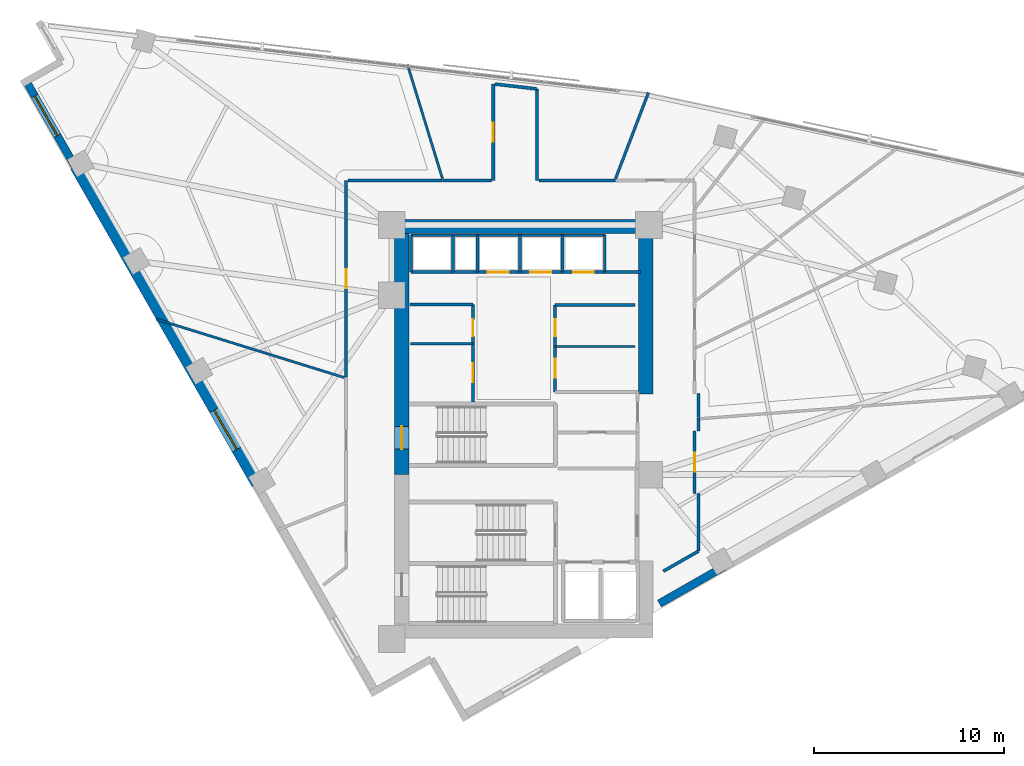
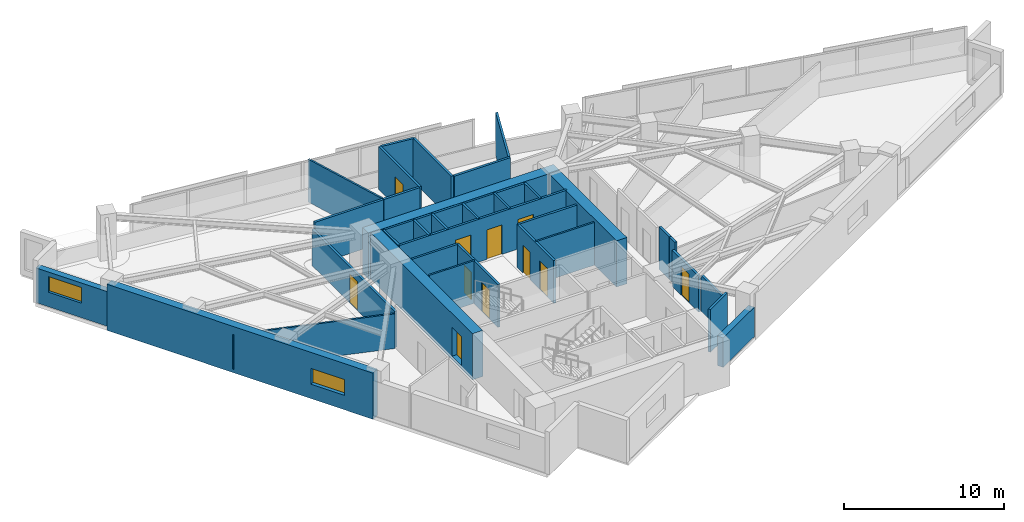
# One storey, part 10 of 14: 36 walls, 11 doors, 2 windows, 13 openings.
"""IFC4 building model written with IfcOpenShell, lengths in metres."""

from ifc_helpers import new_model, si_unit, direction, frame, frame_2d, origin, place, context, subcontext, project, spatial, rectangle, extrude, material, layer, layer_set, type_object, element, fill, save


model = new_model("IFC4")

# Units and contexts
model_context = context("Model", 3, precision=1e-05, world=origin(), true_north=direction((0.0, 1.0)))
body_context = subcontext(model_context, "Body", "Model", "MODEL_VIEW")
ifc_project = project(units=[si_unit("LENGTHUNIT", "METRE"), si_unit("AREAUNIT", "SQUARE_METRE"), si_unit("VOLUMEUNIT", "CUBIC_METRE"), si_unit("PLANEANGLEUNIT", "RADIAN"), si_unit("MASSUNIT", "GRAM", prefix="KILO")], contexts=[model_context])

# Site, building, storey
site_placement = place(None, origin())
site = spatial("IfcSite", under=ifc_project, at=site_placement, CompositionType="ELEMENT")
building_placement = place(site_placement, origin())
building = spatial("IfcBuilding", under=site, at=building_placement, Name="Narakoshi Arena Tower", CompositionType="ELEMENT")
storey_placement = place(building_placement, frame((0.0, 0.0, 211.4599609375)))
storey = spatial("IfcBuildingStorey", under=building, at=storey_placement, Name="L57", CompositionType="ELEMENT", Elevation=211.4599609375)

# Wall, opening, door
ifc_material_1 = material(Name="Concrete C50/60", Category="concrete")
ifc_layer_1 = layer(ifc_material_1, 0.75)
ifc_layer_set_1 = layer_set([ifc_layer_1], Name="Concrete C50/60")
wall_type_1 = type_object("IfcWallType", Name="WL-CORE-750", PredefinedType="SHEAR", material=ifc_layer_set_1)
wall_1_placement = place(storey_placement, frame((72.52490234375, 43.35009765625, -0.260009765625), z_axis=(0.0, 0.0, 1.0), x_axis=(0.0, 1.0, 0.0)))
wall_1 = element("IfcWall", 1, at=wall_1_placement, inside=storey, type_object=wall_type_1, Name="L57 Main Core Shear Wall CW-MN-W", PredefinedType="SHEAR", context=body_context, shape_type="SweptSolid", body=[
    extrude(rectangle(XDim=12.699951171875, YDim=0.75, at=frame_2d((6.35009765625, 0.0))), origin(), (0.0, 0.0, 1.0), 3.52001953125),
])
opening_1_placement = place(wall_1_placement, frame((1.35009765625, 0.0, 0.260009765625)))
opening_1 = element("IfcOpeningElement", 2, at=opening_1_placement, cuts=wall_1, Name="Opening D-03", PredefinedType="OPENING", context=body_context, shape_type="SweptSolid", body=[
    extrude(rectangle(XDim=1.199951171875, YDim=2.199951171875, at=frame_2d((0.60009765625, 1.10009765625))), frame((0.0, 0.385009765625, 0.0), z_axis=(0.0, -1.0, 0.0), x_axis=(1.0, 0.0, 0.0)), (0.0, 0.0, 1.0), 0.77001953125),
])
ifc_material_2 = material(Name="Painted galvanized steel", Category="steel")
door_type_1 = type_object("IfcDoorType", Name="DR-STR-1200", OperationType="NOTDEFINED", PredefinedType="USERDEFINED", material=ifc_material_2)
door_1_placement = place(opening_1_placement, frame((1.199951171875, 0.0, 0.0), z_axis=(0.0, 0.0, 1.0), x_axis=(-1.0, 0.0, 0.0)))
door_1 = element("IfcDoor", 3, at=door_1_placement, inside=storey, type_object=door_type_1, Name="DR-L57-006", ObjectType="EXITDOOR", OperationType="SINGLE_SWING_LEFT", OverallHeight=2.199951171875, OverallWidth=1.199951171875, PredefinedType="USERDEFINED", context=body_context, shape_type="SweptSolid", body=[
    extrude(rectangle(XDim=1.199951171875, YDim=2.199951171875, at=frame_2d((0.60009765625, 1.10009765625))), frame((0.0, 0.02490234375, 0.0), z_axis=(0.0, -1.0, 0.0), x_axis=(1.0, 0.0, 0.0)), (0.0, 0.0, 1.0), 0.050048828125),
])
fill(opening_1, door_1)

# Walls
wall_2_placement = place(storey_placement, frame((72.0, 56.425048828125, -0.260009765625), z_axis=(0.0, 0.0, 1.0), x_axis=(1.0, 0.0, 0.0)))
element("IfcWall", 4, at=wall_2_placement, inside=storey, type_object=wall_type_1, Name="L57 Main Core Shear Wall CW-MN-N", PredefinedType="SHEAR", context=body_context, shape_type="SweptSolid", body=[
    extrude(rectangle(XDim=13.75, YDim=0.75, at=frame_2d((6.875, 0.0))), origin(), (0.0, 0.0, 1.0), 3.52001953125),
])
wall_3_placement = place(storey_placement, frame((85.375, 47.60009765625, -0.260009765625), z_axis=(0.0, 0.0, 1.0), x_axis=(0.0, 1.0, 0.0)))
element("IfcWall", 5, at=wall_3_placement, inside=storey, type_object=wall_type_1, Name="L57 Main Core Shear Wall CW-MN-E", PredefinedType="SHEAR", context=body_context, shape_type="SweptSolid", body=[
    extrude(rectangle(XDim=8.449951171875, YDim=0.75, at=frame_2d((4.22509765625, 0.0))), origin(), (0.0, 0.0, 1.0), 3.52001953125),
])

# Wall, opening, door
ifc_material_3 = material(Name="Gypsum plasterboard fire-rated partition")
ifc_layer_2 = layer(ifc_material_3, 0.1650390625)
ifc_layer_set_2 = layer_set([ifc_layer_2], Name="Gypsum plasterboard fire-rated partition")
wall_type_2 = type_object("IfcWallType", Name="WL-CORR-165", PredefinedType="PARTITIONING", material=ifc_layer_set_2)
wall_4_placement = place(storey_placement, frame((87.949951171875, 42.35009765625, 0.0), z_axis=(0.0, 0.0, 1.0), x_axis=(0.0, 1.0, 0.0)))
wall_4 = element("IfcWall", 6, at=wall_4_placement, inside=storey, type_object=wall_type_2, Name="L57 Corridor Partition 03-1", PredefinedType="PARTITIONING", context=body_context, shape_type="SweptSolid", body=[
    extrude(rectangle(XDim=3.2998046875, YDim=0.1650390625, at=frame_2d((1.64990234375, 0.0))), origin(), (0.0, 0.0, 1.0), 2.7451171875),
])
opening_2_placement = place(wall_4_placement, frame((1.14990234375, 0.0, 0.0)))
opening_2 = element("IfcOpeningElement", 7, at=opening_2_placement, cuts=wall_4, Name="Opening D-06", PredefinedType="OPENING", context=body_context, shape_type="SweptSolid", body=[
    extrude(rectangle(XDim=1.0, YDim=2.199951171875, at=frame_2d((0.5, 1.10009765625))), frame((0.0, 0.092529296875, 0.0), z_axis=(0.0, -1.0, 0.0), x_axis=(1.0, 0.0, 0.0)), (0.0, 0.0, 1.0), 0.18505859375),
])
ifc_material_4 = material(Name="Stained oak solid-core timber", Category="wood")
door_type_2 = type_object("IfcDoorType", Name="DR-OFF-1000", OperationType="NOTDEFINED", PredefinedType="DOOR", material=ifc_material_4)
door_2_placement = place(opening_2_placement, frame((1.0, 0.0, 0.0), z_axis=(0.0, 0.0, 1.0), x_axis=(-1.0, 0.0, 0.0)))
door_2 = element("IfcDoor", 8, at=door_2_placement, inside=storey, type_object=door_type_2, Name="DR-L57-018", OperationType="SINGLE_SWING_LEFT", OverallHeight=2.199951171875, OverallWidth=1.0, PredefinedType="DOOR", context=body_context, shape_type="SweptSolid", body=[
    extrude(rectangle(XDim=1.0, YDim=2.199951171875, at=frame_2d((0.5, 1.10009765625))), frame((0.0, 0.02490234375, 0.0), z_axis=(0.0, -1.0, 0.0), x_axis=(1.0, 0.0, 0.0)), (0.0, 0.0, 1.0), 0.050048828125),
])
fill(opening_2, door_2)

# Walls
wall_5_placement = place(storey_placement, frame((88.14990234375, 39.322998046875, 0.0), z_axis=(0.0, 0.0, 1.0), x_axis=(0.0, 1.0, 0.0)))
element("IfcWall", 9, at=wall_5_placement, inside=storey, type_object=wall_type_2, Name="L57 Corridor Partition 03-2", PredefinedType="PARTITIONING", context=body_context, shape_type="SweptSolid", body=[
    extrude(rectangle(XDim=3.027099609375, YDim=0.1650390625, at=frame_2d((1.513671875, 0.0))), origin(), (0.0, 0.0, 1.0), 2.7451171875),
])
wall_6_placement = place(storey_placement, frame((86.300048828125, 38.265625, 0.0), z_axis=(0.0, 0.0, 1.0), x_axis=(0.868179674817, 0.496249989657, 0.0)))
element("IfcWall", 10, at=wall_6_placement, inside=storey, type_object=wall_type_2, Name="L57 Corridor Partition 03-3", PredefinedType="PARTITIONING", context=body_context, shape_type="SweptSolid", body=[
    extrude(rectangle(XDim=2.130615234375, YDim=0.1650390625, at=frame_2d((1.0654296875, 0.0))), origin(), (0.0, 0.0, 1.0), 3.260009765625),
])
wall_7_placement = place(storey_placement, frame((88.14990234375, 45.64990234375, 0.0), z_axis=(0.0, 0.0, 1.0), x_axis=(0.0, 1.0, 0.0)))
element("IfcWall", 11, at=wall_7_placement, inside=storey, type_object=wall_type_2, Name="L57 Corridor Partition 03-4", PredefinedType="PARTITIONING", context=body_context, shape_type="SweptSolid", body=[
    extrude(rectangle(XDim=0.677490234375, YDim=0.1650390625, at=frame_2d((0.3388671875, 0.0))), origin(), (0.0, 0.0, 1.0), 3.260009765625),
])
wall_8_placement = place(storey_placement, frame((88.14990234375, 46.351318359375, 0.0), z_axis=(0.0, 0.0, 1.0), x_axis=(0.0, 1.0, 0.0)))
element("IfcWall", 12, at=wall_8_placement, inside=storey, type_object=wall_type_2, Name="L57 Corridor Partition 04-2", PredefinedType="PARTITIONING", context=body_context, shape_type="SweptSolid", body=[
    extrude(rectangle(XDim=1.268798828125, YDim=0.1650390625, at=frame_2d((0.63427734375, 0.0))), origin(), (0.0, 0.0, 1.0), 3.260009765625),
])

# Wall, opening, door
wall_9_placement = place(storey_placement, frame((77.35009765625, 63.930908203125, 0.0), z_axis=(0.0, 0.0, 1.0), x_axis=(0.0, -1.0, 0.0)))
wall_9 = element("IfcWall", 13, at=wall_9_placement, inside=storey, type_object=wall_type_2, Name="L57 Corridor Partition 07-1", PredefinedType="PARTITIONING", context=body_context, shape_type="SweptSolid", body=[
    extrude(rectangle(XDim=5.080810546875, YDim=0.1650390625, at=frame_2d((2.54052734375, 0.0))), origin(), (0.0, 0.0, 1.0), 3.260009765625),
])
opening_3_placement = place(wall_9_placement, frame((2.040283203125, 0.0, 0.0)))
opening_3 = element("IfcOpeningElement", 14, at=opening_3_placement, cuts=wall_9, Name="Opening D-06", PredefinedType="OPENING", context=body_context, shape_type="SweptSolid", body=[
    extrude(rectangle(XDim=1.0, YDim=2.199951171875, at=frame_2d((0.5, 1.10009765625))), frame((0.0, 0.092529296875, 0.0), z_axis=(0.0, -1.0, 0.0), x_axis=(1.0, 0.0, 0.0)), (0.0, 0.0, 1.0), 0.18505859375),
])
door_3_placement = place(opening_3_placement, frame((1.0, 0.0, 0.0), z_axis=(0.0, 0.0, 1.0), x_axis=(-1.0, 0.0, 0.0)))
door_3 = element("IfcDoor", 15, at=door_3_placement, inside=storey, type_object=door_type_2, Name="DR-L57-022", OperationType="SINGLE_SWING_LEFT", OverallHeight=2.199951171875, OverallWidth=1.0, PredefinedType="DOOR", context=body_context, shape_type="SweptSolid", body=[
    extrude(rectangle(XDim=1.0, YDim=2.199951171875, at=frame_2d((0.5, 1.10009765625))), frame((0.0, 0.02490234375, 0.0), z_axis=(0.0, -1.0, 0.0), x_axis=(1.0, 0.0, 0.0)), (0.0, 0.0, 1.0), 0.050048828125),
])
fill(opening_3, door_3)

# Walls
wall_10_placement = place(storey_placement, frame((79.64990234375, 58.85009765625, 0.0), z_axis=(0.0, 0.0, 1.0), x_axis=(0.0, 1.0, 0.0)))
element("IfcWall", 16, at=wall_10_placement, inside=storey, type_object=wall_type_2, Name="L57 Corridor Partition 07-2", PredefinedType="PARTITIONING", context=body_context, shape_type="SweptSolid", body=[
    extrude(rectangle(XDim=4.814453125, YDim=0.1650390625, at=frame_2d((2.4072265625, 0.0))), origin(), (0.0, 0.0, 1.0), 3.260009765625),
])
wall_11_placement = place(storey_placement, frame((83.787109375, 58.85009765625, 0.0), z_axis=(0.0, 0.0, 1.0), x_axis=(-1.0, 0.0, 0.0)))
element("IfcWall", 17, at=wall_11_placement, inside=storey, type_object=wall_type_2, Name="L57 Corridor Partition 07-3", PredefinedType="PARTITIONING", context=body_context, shape_type="SweptSolid", body=[
    extrude(rectangle(XDim=4.042724609375, YDim=0.1650390625, at=frame_2d((2.021484375, 0.0))), origin(), (0.0, 0.0, 1.0), 3.260009765625),
])
wall_12_placement = place(storey_placement, frame((77.255615234375, 58.85009765625, 0.0), z_axis=(0.0, 0.0, 1.0), x_axis=(-1.0, 0.0, 0.0)))
element("IfcWall", 18, at=wall_12_placement, inside=storey, type_object=wall_type_2, Name="L57 Corridor Partition 07-4", PredefinedType="PARTITIONING", context=body_context, shape_type="SweptSolid", body=[
    extrude(rectangle(XDim=2.58984375, YDim=0.1650390625, at=frame_2d((1.294921875, 0.0))), origin(), (0.0, 0.0, 1.0), 3.260009765625),
])
wall_13_placement = place(storey_placement, frame((79.64990234375, 63.66455078125, 0.0), z_axis=(0.0, 0.0, 1.0), x_axis=(-0.993362136032, 0.115028981987, 0.0)))
element("IfcWall", 19, at=wall_13_placement, inside=storey, type_object=wall_type_2, Name="L57 Corridor Partition 07-5", PredefinedType="PARTITIONING", context=body_context, shape_type="SweptSolid", body=[
    extrude(rectangle(XDim=2.219970703125, YDim=0.1650390625, at=frame_2d((1.10986328125, 0.0))), origin(), (0.0, 0.0, 1.0), 3.260009765625),
])

# Wall, opening, door
wall_14_placement = place(storey_placement, frame((69.60009765625, 58.85009765625, 0.0), z_axis=(0.0, 0.0, 1.0), x_axis=(0.0, -1.0, 0.0)))
wall_14 = element("IfcWall", 20, at=wall_14_placement, inside=storey, type_object=wall_type_2, Name="L57 Corridor Partition 09-1", PredefinedType="PARTITIONING", context=body_context, shape_type="SweptSolid", body=[
    extrude(rectangle(XDim=10.355712890625, YDim=0.1650390625, at=frame_2d((5.177734375, 0.0))), origin(), (0.0, 0.0, 1.0), 2.7451171875),
])
opening_4_placement = place(wall_14_placement, frame((4.677734375, 0.0, 0.0)))
opening_4 = element("IfcOpeningElement", 21, at=opening_4_placement, cuts=wall_14, Name="Opening D-06", PredefinedType="OPENING", context=body_context, shape_type="SweptSolid", body=[
    extrude(rectangle(XDim=1.0, YDim=2.199951171875, at=frame_2d((0.5, 1.10009765625))), frame((0.0, 0.092529296875, 0.0), z_axis=(0.0, -1.0, 0.0), x_axis=(1.0, 0.0, 0.0)), (0.0, 0.0, 1.0), 0.18505859375),
])
door_4_placement = place(opening_4_placement, frame((1.0, 0.0, 0.0), z_axis=(0.0, 0.0, 1.0), x_axis=(-1.0, 0.0, 0.0)))
door_4 = element("IfcDoor", 22, at=door_4_placement, inside=storey, type_object=door_type_2, Name="DR-L57-024", OperationType="SINGLE_SWING_LEFT", OverallHeight=2.199951171875, OverallWidth=1.0, PredefinedType="DOOR", context=body_context, shape_type="SweptSolid", body=[
    extrude(rectangle(XDim=1.0, YDim=2.199951171875, at=frame_2d((0.5, 1.10009765625))), frame((0.0, 0.02490234375, 0.0), z_axis=(0.0, -1.0, 0.0), x_axis=(1.0, 0.0, 0.0)), (0.0, 0.0, 1.0), 0.050048828125),
])
fill(opening_4, door_4)

# Wall
wall_15_placement = place(storey_placement, frame((74.640625, 58.85009765625, 0.0), z_axis=(0.0, 0.0, 1.0), x_axis=(-1.0, 0.0, 0.0)))
element("IfcWall", 23, at=wall_15_placement, inside=storey, type_object=wall_type_2, Name="L57 Corridor Partition 09-2", PredefinedType="PARTITIONING", context=body_context, shape_type="SweptSolid", body=[
    extrude(rectangle(XDim=4.946044921875, YDim=0.1650390625, at=frame_2d((2.47314453125, 0.0))), origin(), (0.0, 0.0, 1.0), 3.260009765625),
])

# Wall, opening, window
ifc_layer_3 = layer(ifc_material_1, 0.550048828125)
ifc_layer_set_3 = layer_set([ifc_layer_3], Name="Concrete C50/60")
wall_type_3 = type_object("IfcWallType", Name="WL-LEG-550", PredefinedType="SHEAR", material=ifc_layer_set_3)
wall_16_placement = place(storey_placement, frame((55.3251953125, 59.5703125, -0.260009765625), z_axis=(0.0, 0.0, 1.0), x_axis=(0.496211351597, -0.868201759124, 0.0)))
wall_16 = element("IfcWall", 24, at=wall_16_placement, inside=storey, type_object=wall_type_3, Name="L57 Architectural Concrete Structural Wall LEGB-2", PredefinedType="SHEAR", context=body_context, shape_type="SweptSolid", body=[
    extrude(rectangle(XDim=19.242919921875, YDim=0.550048828125, at=frame_2d((9.62158203125, 0.0))), origin(), (0.0, 0.0, 1.0), 3.52001953125),
])
opening_5_placement = place(wall_16_placement, frame((14.7568359375, 0.0, 1.10009765625)))
opening_5 = element("IfcOpeningElement", 25, at=opening_5_placement, cuts=wall_16, Name="Opening WN-04", PredefinedType="OPENING", context=body_context, shape_type="SweptSolid", body=[
    extrude(rectangle(XDim=2.39990234375, YDim=1.199951171875, at=frame_2d((1.199951171875, 0.60009765625))), frame((0.0, 0.284912109375, 0.0), z_axis=(0.0, -1.0, 0.0), x_axis=(1.0, 0.0, 0.0)), (0.0, 0.0, 1.0), 0.570068359375),
])
ifc_material_5 = material(Name="Bronze-tinted low-E laminated glass", Category="glass")
window_type = type_object("IfcWindowType", Name="WIN-SLT-24x12", PartitioningType="SINGLE_PANEL", PredefinedType="WINDOW", material=ifc_material_5)
window_1_placement = place(opening_5_placement, origin())
window_1 = element("IfcWindow", 26, at=window_1_placement, inside=storey, type_object=window_type, Name="L57 LEGB2 Horizontal Slot Window 1", OverallHeight=1.199951171875, OverallWidth=2.39990234375, PartitioningType="SINGLE_PANEL", PredefinedType="WINDOW", context=body_context, shape_type="SweptSolid", body=[
    extrude(rectangle(XDim=2.39990234375, YDim=1.199951171875, at=frame_2d((1.199951171875, 0.60009765625))), frame((0.0, 0.030029296875, 0.0), z_axis=(0.0, -1.0, 0.0), x_axis=(1.0, 0.0, 0.0)), (0.0, 0.0, 1.0), 0.06005859375),
])
fill(opening_5, window_1)

# Walls
ifc_layer_4 = layer(ifc_material_3, 0.125)
ifc_layer_set_4 = layer_set([ifc_layer_4], Name="Gypsum plasterboard fire-rated partition")
wall_type_4 = type_object("IfcWallType", Name="WL-PART-125", PredefinedType="PARTITIONING", material=ifc_layer_set_4)
wall_17_placement = place(storey_placement, frame((73.0, 50.25, 0.0), z_axis=(0.0, 0.0, 1.0), x_axis=(1.0, 0.0, 0.0)))
element("IfcWall", 27, at=wall_17_placement, inside=storey, type_object=wall_type_4, Name="L57 Core Wall RCL-LR-D2", PredefinedType="PARTITIONING", context=body_context, shape_type="SweptSolid", body=[
    extrude(rectangle(XDim=3.280029296875, YDim=0.125, at=frame_2d((1.64013671875, 0.0))), origin(), (0.0, 0.0, 1.0), 3.260009765625),
])
wall_18_placement = place(storey_placement, frame((80.60009765625, 50.10009765625, 0.0), z_axis=(0.0, 0.0, 1.0), x_axis=(1.0, 0.0, 0.0)))
element("IfcWall", 28, at=wall_18_placement, inside=storey, type_object=wall_type_4, Name="L57 Core Wall RCL-MR-D", PredefinedType="PARTITIONING", context=body_context, shape_type="SweptSolid", body=[
    extrude(rectangle(XDim=4.219970703125, YDim=0.125, at=frame_2d((2.10986328125, 0.0))), origin(), (0.0, 0.0, 1.0), 3.260009765625),
])
wall_19_placement = place(storey_placement, frame((59.59765625, 51.541015625, 0.0), z_axis=(0.0, 0.0, 1.0), x_axis=(0.95500232521, -0.296598312272, 0.0)))
element("IfcWall", 29, at=wall_19_placement, inside=storey, type_object=wall_type_4, Name="L57 Inter-Room Partition 01-09", PredefinedType="PARTITIONING", context=body_context, shape_type="SweptSolid", body=[
    extrude(rectangle(XDim=10.374755859375, YDim=0.125, at=frame_2d((5.1875, 0.0))), origin(), (0.0, 0.0, 1.0), 2.64501953125),
])
wall_20_placement = place(storey_placement, frame((74.67138671875, 58.944580078125, 0.0), z_axis=(0.0, 0.0, 1.0), x_axis=(-0.293384834244, 0.955994424166, 0.0)))
element("IfcWall", 30, at=wall_20_placement, inside=storey, type_object=wall_type_4, Name="L57 Inter-Room Partition 07-09", PredefinedType="PARTITIONING", context=body_context, shape_type="SweptSolid", body=[
    extrude(rectangle(XDim=6.290283203125, YDim=0.125, at=frame_2d((3.14501953125, 0.0))), origin(), (0.0, 0.0, 1.0), 3.260009765625),
])
ifc_material_6 = material(Name="Precast concrete C45/55", Category="concrete")
ifc_layer_5 = layer(ifc_material_6, 0.419921875)
ifc_layer_set_5 = layer_set([ifc_layer_5], Name="Precast concrete C45/55")
wall_type_5 = type_object("IfcWallType", Name="WL-POD-420", PredefinedType="SOLIDWALL", material=ifc_layer_set_5)
wall_21_placement = place(storey_placement, frame((86.10009765625, 36.567626953125, 0.0), z_axis=(0.0, 0.0, 1.0), x_axis=(0.868192956745, 0.496226752461, 0.0)))
element("IfcWall", 31, at=wall_21_placement, inside=storey, type_object=wall_type_5, Name="L57 Architectural Concrete Facade Wall LEGA-2", PredefinedType="SOLIDWALL", context=body_context, shape_type="SweptSolid", body=[
    extrude(rectangle(XDim=3.89208984375, YDim=0.419921875, at=frame_2d((1.946044921875, 0.0))), origin(), (0.0, 0.0, 1.0), 2.2451171875),
])

# Wall, opening, window
wall_22_placement = place(storey_placement, frame((52.75439453125, 64.068359375, 0.0), z_axis=(0.0, 0.0, 1.0), x_axis=(0.496209984367, -0.868202540548, 0.0)))
wall_22 = element("IfcWall", 32, at=wall_22_placement, inside=storey, type_object=wall_type_5, Name="L57 Architectural Concrete Facade Wall LEGB-1", PredefinedType="SOLIDWALL", context=body_context, shape_type="SweptSolid", body=[
    extrude(rectangle(XDim=5.180908203125, YDim=0.419921875, at=frame_2d((2.59033203125, 0.0))), origin(), (0.0, 0.0, 1.0), 2.64501953125),
])
opening_6_placement = place(wall_22_placement, frame((0.89990234375, 0.0, 1.10009765625)))
opening_6 = element("IfcOpeningElement", 33, at=opening_6_placement, cuts=wall_22, Name="Opening WN-04", PredefinedType="OPENING", context=body_context, shape_type="SweptSolid", body=[
    extrude(rectangle(XDim=2.39990234375, YDim=1.199951171875, at=frame_2d((1.199951171875, 0.60009765625))), frame((0.0, 0.219970703125, 0.0), z_axis=(0.0, -1.0, 0.0), x_axis=(1.0, 0.0, 0.0)), (0.0, 0.0, 1.0), 0.43994140625),
])
window_2_placement = place(opening_6_placement, origin())
window_2 = element("IfcWindow", 34, at=window_2_placement, inside=storey, type_object=window_type, Name="L57 LEGB1 Horizontal Slot Window 1", OverallHeight=1.199951171875, OverallWidth=2.39990234375, PartitioningType="SINGLE_PANEL", PredefinedType="WINDOW", context=body_context, shape_type="SweptSolid", body=[
    extrude(rectangle(XDim=2.39990234375, YDim=1.199951171875, at=frame_2d((1.199951171875, 0.60009765625))), frame((0.0, 0.030029296875, 0.0), z_axis=(0.0, -1.0, 0.0), x_axis=(1.0, 0.0, 0.0)), (0.0, 0.0, 1.0), 0.06005859375),
])
fill(opening_6, window_2)

# Walls
ifc_material_7 = material(Name="Concrete C40/50", Category="concrete")
ifc_layer_6 = layer(ifc_material_7, 0.280029296875)
ifc_layer_set_6 = layer_set([ifc_layer_6], Name="Concrete C40/50")
wall_type_6 = type_object("IfcWallType", Name="WL-RISER-280", PredefinedType="PLUMBINGWALL", material=ifc_layer_set_6)
for number, where, z_axis, x_axis, name in (
    (35, (73.02001953125, 54.02001953125, 0.0), (0.0, 0.0, 1.0), (0.0, 1.0, 0.0), "L57 Core Wall OBS-W"),
    (36, (75.219970703125, 54.02001953125, 0.0), (0.0, 0.0, 1.0), (0.0, 1.0, 0.0), "L57 Core Wall OBS-M"),
):
    element("IfcWall", number, at=place(storey_placement, frame(where, z_axis=z_axis, x_axis=x_axis)), inside=storey, type_object=wall_type_6, Name=name, PredefinedType="PLUMBINGWALL", context=body_context, shape_type="SweptSolid", body=[
        extrude(rectangle(XDim=1.93994140625, YDim=0.14990234375, at=frame_2d((0.969970703125, 0.0))), origin(), (0.0, 0.0, 1.0), 3.260009765625),
    ])
for number, where, z_axis, x_axis, name in (
    (37, (78.75, 54.02001953125, 0.0), (0.0, 0.0, 1.0), (0.0, 1.0, 0.0), "L57 Core Wall HR-D1"),
    (38, (81.0, 54.02001953125, 0.0), (0.0, 0.0, 1.0), (0.0, 1.0, 0.0), "L57 Core Wall HR-D2"),
):
    element("IfcWall", number, at=place(storey_placement, frame(where, z_axis=z_axis, x_axis=x_axis)), inside=storey, type_object=wall_type_6, Name=name, PredefinedType="PLUMBINGWALL", context=body_context, shape_type="SweptSolid", body=[
        extrude(rectangle(XDim=1.9599609375, YDim=0.14990234375, at=frame_2d((0.97998046875, 0.0))), origin(), (0.0, 0.0, 1.0), 3.260009765625),
    ])

# Wall, openings, doors
ifc_layer_7 = layer(ifc_material_1, 0.35009765625)
ifc_layer_set_7 = layer_set([ifc_layer_7], Name="Concrete C50/60")
wall_type_7 = type_object("IfcWallType", Name="WL-SHAFT-350", PredefinedType="SOLIDWALL", material=ifc_layer_set_7)
wall_23_placement = place(storey_placement, frame((76.280029296875, 47.179931640625, 0.0), z_axis=(0.0, 0.0, 1.0), x_axis=(0.0, 1.0, 0.0)))
wall_23 = element("IfcWall", 39, at=wall_23_placement, inside=storey, type_object=wall_type_7, Name="L57 Core Wall LR-E", PredefinedType="SOLIDWALL", context=body_context, shape_type="SweptSolid", body=[
    extrude(rectangle(XDim=5.14013671875, YDim=0.159912109375, at=frame_2d((2.570068359375, 0.0))), origin(), (0.0, 0.0, 1.0), 3.260009765625),
])
opening_7_placement = place(wall_23_placement, frame((1.050048828125, 0.0, 0.0)))
opening_7 = element("IfcOpeningElement", 40, at=opening_7_placement, cuts=wall_23, Name="Opening D-06", PredefinedType="OPENING", context=body_context, shape_type="SweptSolid", body=[
    extrude(rectangle(XDim=1.0, YDim=2.199951171875, at=frame_2d((0.5, 1.10009765625))), frame((0.0, 0.08984375, 0.0), z_axis=(0.0, -1.0, 0.0), x_axis=(1.0, 0.0, 0.0)), (0.0, 0.0, 1.0), 0.179931640625),
])
opening_8_placement = place(wall_23_placement, frame((3.449951171875, 0.0, 0.0)))
opening_8 = element("IfcOpeningElement", 41, at=opening_8_placement, cuts=wall_23, Name="Opening D-08", PredefinedType="OPENING", context=body_context, shape_type="SweptSolid", body=[
    extrude(rectangle(XDim=0.89990234375, YDim=2.10009765625, at=frame_2d((0.449951171875, 1.050048828125))), frame((0.0, 0.08984375, 0.0), z_axis=(0.0, -1.0, 0.0), x_axis=(1.0, 0.0, 0.0)), (0.0, 0.0, 1.0), 0.179931640625),
])
door_5_placement = place(opening_7_placement, frame((1.0, 0.0, 0.0), z_axis=(0.0, 0.0, 1.0), x_axis=(-1.0, 0.0, 0.0)))
door_5 = element("IfcDoor", 42, at=door_5_placement, inside=storey, type_object=door_type_2, Name="DR-L57-009", OperationType="SINGLE_SWING_RIGHT", OverallHeight=2.199951171875, OverallWidth=1.0, PredefinedType="DOOR", context=body_context, shape_type="SweptSolid", body=[
    extrude(rectangle(XDim=1.0, YDim=2.199951171875, at=frame_2d((0.5, 1.10009765625))), frame((0.0, 0.02490234375, 0.0), z_axis=(0.0, -1.0, 0.0), x_axis=(1.0, 0.0, 0.0)), (0.0, 0.0, 1.0), 0.050048828125),
])
fill(opening_7, door_5)
ifc_material_8 = material(Name="Moisture-resistant laminate timber", Category="wood")
door_type_3 = type_object("IfcDoorType", Name="DR-WC-900", OperationType="NOTDEFINED", PredefinedType="DOOR", material=ifc_material_8)
door_6_placement = place(opening_8_placement, frame((0.89990234375, 0.0, 0.0), z_axis=(0.0, 0.0, 1.0), x_axis=(-1.0, 0.0, 0.0)))
door_6 = element("IfcDoor", 43, at=door_6_placement, inside=storey, type_object=door_type_3, Name="DR-L57-010", OperationType="SINGLE_SWING_LEFT", OverallHeight=2.10009765625, OverallWidth=0.89990234375, PredefinedType="DOOR", context=body_context, shape_type="SweptSolid", body=[
    extrude(rectangle(XDim=0.89990234375, YDim=2.10009765625, at=frame_2d((0.449951171875, 1.050048828125))), frame((0.0, 0.02490234375, 0.0), z_axis=(0.0, -1.0, 0.0), x_axis=(1.0, 0.0, 0.0)), (0.0, 0.0, 1.0), 0.050048828125),
])
fill(opening_8, door_6)

# Wall
wall_24_placement = place(storey_placement, frame((72.949951171875, 52.320068359375, 0.0), z_axis=(0.0, 0.0, 1.0), x_axis=(1.0, 0.0, 0.0)))
element("IfcWall", 44, at=wall_24_placement, inside=storey, type_object=wall_type_7, Name="L57 Core Wall LR-N", PredefinedType="SOLIDWALL", context=body_context, shape_type="SweptSolid", body=[
    extrude(rectangle(XDim=3.330078125, YDim=0.14990234375, at=frame_2d((1.6650390625, 0.0))), origin(), (0.0, 0.0, 1.0), 3.260009765625),
])

# Wall, openings, doors
wall_25_placement = place(storey_placement, frame((80.60009765625, 47.699951171875, 0.0), z_axis=(0.0, 0.0, 1.0), x_axis=(0.0, 1.0, 0.0)))
wall_25 = element("IfcWall", 45, at=wall_25_placement, inside=storey, type_object=wall_type_7, Name="L57 Core Wall MR-W", PredefinedType="SOLIDWALL", context=body_context, shape_type="SweptSolid", body=[
    extrude(rectangle(XDim=4.60009765625, YDim=0.159912109375, at=frame_2d((2.300048828125, 0.0))), origin(), (0.0, 0.0, 1.0), 3.260009765625),
])
opening_9_placement = place(wall_25_placement, frame((0.75, 0.0, 0.0)))
opening_9 = element("IfcOpeningElement", 46, at=opening_9_placement, cuts=wall_25, Name="Opening D-06", PredefinedType="OPENING", context=body_context, shape_type="SweptSolid", body=[
    extrude(rectangle(XDim=1.0, YDim=2.199951171875, at=frame_2d((0.5, 1.10009765625))), frame((0.0, 0.08984375, 0.0), z_axis=(0.0, -1.0, 0.0), x_axis=(1.0, 0.0, 0.0)), (0.0, 0.0, 1.0), 0.179931640625),
])
opening_10_placement = place(wall_25_placement, frame((2.949951171875, 0.0, 0.0)))
opening_10 = element("IfcOpeningElement", 47, at=opening_10_placement, cuts=wall_25, Name="Opening D-08", PredefinedType="OPENING", context=body_context, shape_type="SweptSolid", body=[
    extrude(rectangle(XDim=0.89990234375, YDim=2.10009765625, at=frame_2d((0.449951171875, 1.050048828125))), frame((0.0, 0.08984375, 0.0), z_axis=(0.0, -1.0, 0.0), x_axis=(1.0, 0.0, 0.0)), (0.0, 0.0, 1.0), 0.179931640625),
])
door_7_placement = place(opening_9_placement, origin())
door_7 = element("IfcDoor", 48, at=door_7_placement, inside=storey, type_object=door_type_2, Name="DR-L57-011", OperationType="SINGLE_SWING_RIGHT", OverallHeight=2.199951171875, OverallWidth=1.0, PredefinedType="DOOR", context=body_context, shape_type="SweptSolid", body=[
    extrude(rectangle(XDim=1.0, YDim=2.199951171875, at=frame_2d((0.5, 1.10009765625))), frame((0.0, 0.02490234375, 0.0), z_axis=(0.0, -1.0, 0.0), x_axis=(1.0, 0.0, 0.0)), (0.0, 0.0, 1.0), 0.050048828125),
])
fill(opening_9, door_7)
door_8_placement = place(opening_10_placement, origin())
door_8 = element("IfcDoor", 49, at=door_8_placement, inside=storey, type_object=door_type_3, Name="DR-L57-012", OperationType="SINGLE_SWING_LEFT", OverallHeight=2.10009765625, OverallWidth=0.89990234375, PredefinedType="DOOR", context=body_context, shape_type="SweptSolid", body=[
    extrude(rectangle(XDim=0.89990234375, YDim=2.10009765625, at=frame_2d((0.449951171875, 1.050048828125))), frame((0.0, 0.02490234375, 0.0), z_axis=(0.0, -1.0, 0.0), x_axis=(1.0, 0.0, 0.0)), (0.0, 0.0, 1.0), 0.050048828125),
])
fill(opening_10, door_8)

# Wall
wall_26_placement = place(storey_placement, frame((80.60009765625, 52.300048828125, 0.0), z_axis=(0.0, 0.0, 1.0), x_axis=(1.0, 0.0, 0.0)))
element("IfcWall", 50, at=wall_26_placement, inside=storey, type_object=wall_type_7, Name="L57 Core Wall MR-N", PredefinedType="SOLIDWALL", context=body_context, shape_type="SweptSolid", body=[
    extrude(rectangle(XDim=4.219970703125, YDim=0.159912109375, at=frame_2d((2.10986328125, 0.0))), origin(), (0.0, 0.0, 1.0), 3.260009765625),
])

# Wall, openings, doors
wall_27_placement = place(storey_placement, frame((73.02001953125, 54.02001953125, 0.0), z_axis=(0.0, 0.0, 1.0), x_axis=(1.0, 0.0, 0.0)))
wall_27 = element("IfcWall", 51, at=wall_27_placement, inside=storey, type_object=wall_type_7, Name="L57 Core Wall NSHF-S", PredefinedType="SOLIDWALL", context=body_context, shape_type="SweptSolid", body=[
    extrude(rectangle(XDim=12.080078125, YDim=0.159912109375, at=frame_2d((6.0400390625, 0.0))), origin(), (0.0, 0.0, 1.0), 3.260009765625),
])
opening_11_placement = place(wall_27_placement, frame((4.030029296875, 0.0, 0.0)))
opening_11 = element("IfcOpeningElement", 52, at=opening_11_placement, cuts=wall_27, Name="Opening LD-01", PredefinedType="OPENING", context=body_context, shape_type="SweptSolid", body=[
    extrude(rectangle(XDim=1.10009765625, YDim=2.25, at=frame_2d((0.550048828125, 1.125))), frame((0.0, 0.08984375, 0.0), z_axis=(0.0, -1.0, 0.0), x_axis=(1.0, 0.0, 0.0)), (0.0, 0.0, 1.0), 0.179931640625),
])
opening_12_placement = place(wall_27_placement, frame((6.280029296875, 0.0, 0.0)))
opening_12 = element("IfcOpeningElement", 53, at=opening_12_placement, cuts=wall_27, Name="Opening LD-01", PredefinedType="OPENING", context=body_context, shape_type="SweptSolid", body=[
    extrude(rectangle(XDim=1.10009765625, YDim=2.25, at=frame_2d((0.550048828125, 1.125))), frame((0.0, 0.08984375, 0.0), z_axis=(0.0, -1.0, 0.0), x_axis=(1.0, 0.0, 0.0)), (0.0, 0.0, 1.0), 0.179931640625),
])
opening_13_placement = place(wall_27_placement, frame((8.530029296875, 0.0, 0.0)))
opening_13 = element("IfcOpeningElement", 54, at=opening_13_placement, cuts=wall_27, Name="Opening LD-01", PredefinedType="OPENING", context=body_context, shape_type="SweptSolid", body=[
    extrude(rectangle(XDim=1.10009765625, YDim=2.25, at=frame_2d((0.550048828125, 1.125))), frame((0.0, 0.08984375, 0.0), z_axis=(0.0, -1.0, 0.0), x_axis=(1.0, 0.0, 0.0)), (0.0, 0.0, 1.0), 0.179931640625),
])
ifc_material_9 = material(Name="Brushed bronze stainless steel", Category="steel")
door_type_4 = type_object("IfcDoorType", Name="DR-LFT-1100", OperationType="DOUBLE_DOOR_SLIDING", PredefinedType="DOOR", material=ifc_material_9)
door_9_placement = place(opening_11_placement, origin())
door_9 = element("IfcDoor", 55, at=door_9_placement, inside=storey, type_object=door_type_4, Name="DR-L57-013", OperationType="DOUBLE_DOOR_SLIDING", OverallHeight=2.25, OverallWidth=1.10009765625, PredefinedType="DOOR", context=body_context, shape_type="SweptSolid", body=[
    extrude(rectangle(XDim=1.10009765625, YDim=2.25, at=frame_2d((0.550048828125, 1.125))), frame((0.0, 0.02490234375, 0.0), z_axis=(0.0, -1.0, 0.0), x_axis=(1.0, 0.0, 0.0)), (0.0, 0.0, 1.0), 0.050048828125),
])
fill(opening_11, door_9)
door_10_placement = place(opening_12_placement, origin())
door_10 = element("IfcDoor", 56, at=door_10_placement, inside=storey, type_object=door_type_4, Name="DR-L57-014", OperationType="DOUBLE_DOOR_SLIDING", OverallHeight=2.25, OverallWidth=1.10009765625, PredefinedType="DOOR", context=body_context, shape_type="SweptSolid", body=[
    extrude(rectangle(XDim=1.10009765625, YDim=2.25, at=frame_2d((0.550048828125, 1.125))), frame((0.0, 0.02490234375, 0.0), z_axis=(0.0, -1.0, 0.0), x_axis=(1.0, 0.0, 0.0)), (0.0, 0.0, 1.0), 0.050048828125),
])
fill(opening_12, door_10)
door_11_placement = place(opening_13_placement, origin())
door_11 = element("IfcDoor", 57, at=door_11_placement, inside=storey, type_object=door_type_4, Name="DR-L57-015", OperationType="DOUBLE_DOOR_SLIDING", OverallHeight=2.25, OverallWidth=1.10009765625, PredefinedType="DOOR", context=body_context, shape_type="SweptSolid", body=[
    extrude(rectangle(XDim=1.10009765625, YDim=2.25, at=frame_2d((0.550048828125, 1.125))), frame((0.0, 0.02490234375, 0.0), z_axis=(0.0, -1.0, 0.0), x_axis=(1.0, 0.0, 0.0)), (0.0, 0.0, 1.0), 0.050048828125),
])
fill(opening_13, door_11)

# Walls
wall_28_placement = place(storey_placement, frame((73.02001953125, 55.9599609375, 0.0), z_axis=(0.0, 0.0, 1.0), x_axis=(1.0, 0.0, 0.0)))
element("IfcWall", 58, at=wall_28_placement, inside=storey, type_object=wall_type_7, Name="L57 Core Wall OBS-N", PredefinedType="SOLIDWALL", context=body_context, shape_type="SweptSolid", body=[
    extrude(rectangle(XDim=3.5, YDim=0.14990234375, at=frame_2d((1.75, 0.0))), origin(), (0.0, 0.0, 1.0), 3.260009765625),
])
wall_29_placement = place(storey_placement, frame((76.52001953125, 54.02001953125, 0.0), z_axis=(0.0, 0.0, 1.0), x_axis=(0.0, 1.0, 0.0)))
element("IfcWall", 59, at=wall_29_placement, inside=storey, type_object=wall_type_7, Name="L57 Core Wall OBS-E", PredefinedType="SOLIDWALL", context=body_context, shape_type="SweptSolid", body=[
    extrude(rectangle(XDim=1.93994140625, YDim=0.14990234375, at=frame_2d((0.969970703125, 0.0))), origin(), (0.0, 0.0, 1.0), 3.260009765625),
])
wall_30_placement = place(storey_placement, frame((83.219970703125, 54.02001953125, 0.0), z_axis=(0.0, 0.0, 1.0), x_axis=(0.0, 1.0, 0.0)))
element("IfcWall", 60, at=wall_30_placement, inside=storey, type_object=wall_type_7, Name="L57 Core Wall HR-E", PredefinedType="SOLIDWALL", context=body_context, shape_type="SweptSolid", body=[
    extrude(rectangle(XDim=1.9599609375, YDim=0.14990234375, at=frame_2d((0.97998046875, 0.0))), origin(), (0.0, 0.0, 1.0), 3.260009765625),
])
wall_31_placement = place(storey_placement, frame((76.52001953125, 55.9599609375, 0.0), z_axis=(0.0, 0.0, 1.0), x_axis=(1.0, 0.0, 0.0)))
element("IfcWall", 61, at=wall_31_placement, inside=storey, type_object=wall_type_7, Name="L57 Core Wall HR-N", PredefinedType="SOLIDWALL", context=body_context, shape_type="SweptSolid", body=[
    extrude(rectangle(XDim=6.699951171875, YDim=0.14990234375, at=frame_2d((3.35009765625, 0.0))), origin(), (0.0, 0.0, 1.0), 3.260009765625),
])
ifc_material_10 = material(Name="Moisture-resistant cement-board partition")
ifc_layer_8 = layer(ifc_material_10, 0.14501953125)
ifc_layer_set_8 = layer_set([ifc_layer_8], Name="Moisture-resistant cement-board partition")
wall_type_8 = type_object("IfcWallType", Name="WL-WET-145", PredefinedType="PARTITIONING", material=ifc_layer_set_8)
wall_32_placement = place(storey_placement, frame((85.521484375, 63.480224609375, 0.0), z_axis=(0.0, 0.0, 1.0), x_axis=(-0.356830686646, -0.934169075204, 0.0)))
element("IfcWall", 62, at=wall_32_placement, inside=storey, type_object=wall_type_8, Name="L57 Inter-Room Partition 07-08", PredefinedType="PARTITIONING", context=body_context, shape_type="SweptSolid", body=[
    extrude(rectangle(XDim=4.860595703125, YDim=0.14501953125, at=frame_2d((2.43017578125, 0.0))), origin(), (0.0, 0.0, 1.0), 3.260009765625),
])

save(model, "model.ifc")
